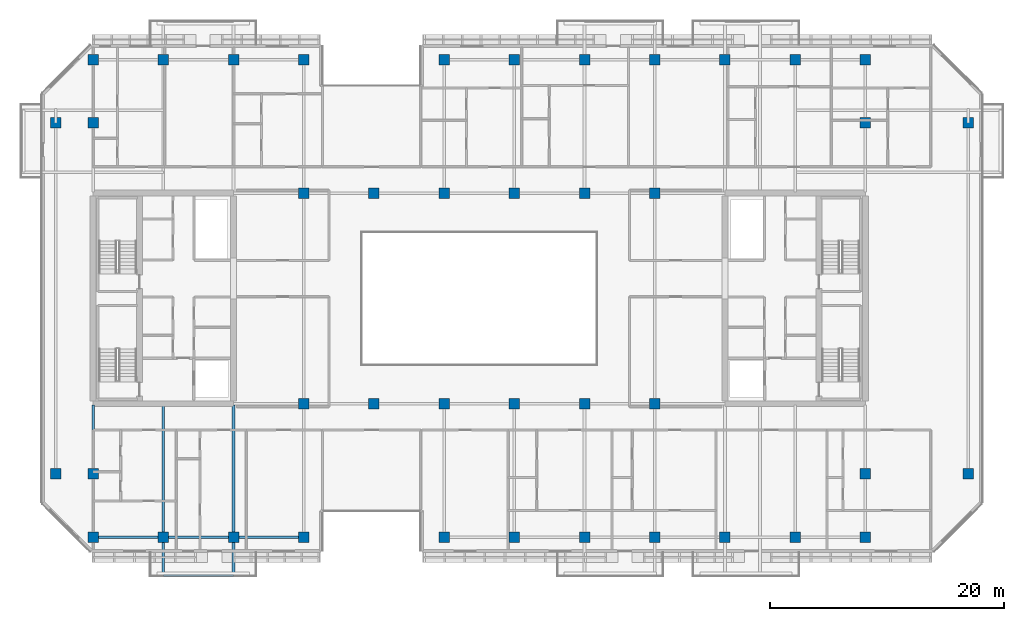
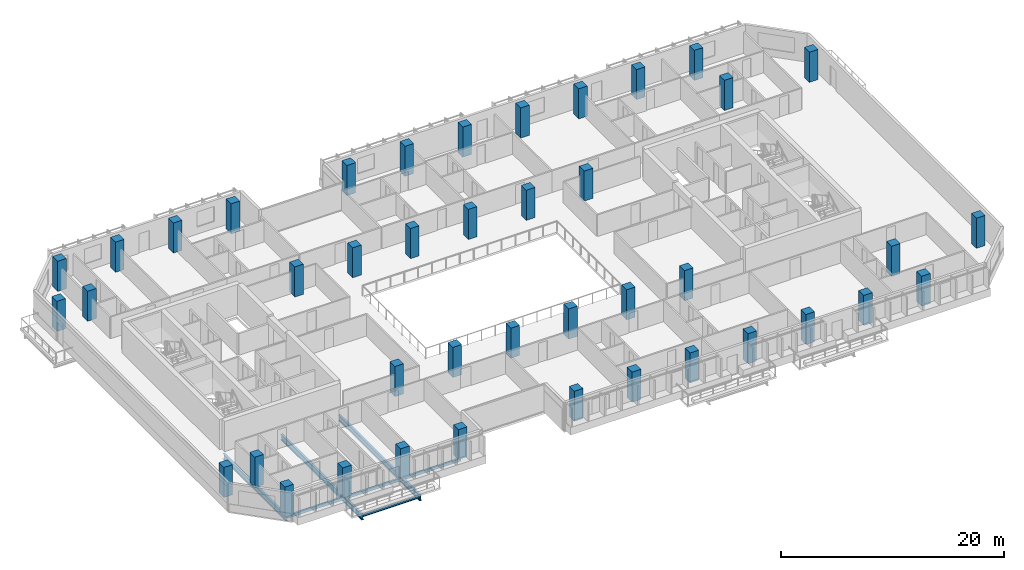
# One storey, part 1 of 21: 42 columns, 7 beams.
"""IFC4 building model written with IfcOpenShell, lengths in metres."""

from ifc_helpers import new_model, si_unit, direction, frame, origin, origin_2d, place, context, subcontext, project, spatial, rectangle, hollow_rectangle, i_section, extrude, material, material_profile, profile_set, type_object, element, save


model = new_model("IFC4")

# Units and contexts
model_context = context("Model", 3, precision=1e-05, world=origin(), true_north=direction((0.0, 1.0)))
body_context = subcontext(model_context, "Body", "Model", "MODEL_VIEW")
ifc_project = project(units=[si_unit("LENGTHUNIT", "METRE"), si_unit("AREAUNIT", "SQUARE_METRE"), si_unit("VOLUMEUNIT", "CUBIC_METRE"), si_unit("PLANEANGLEUNIT", "RADIAN"), si_unit("MASSUNIT", "GRAM", prefix="KILO")], contexts=[model_context])

# Site, building, storey
site_placement = place(None, origin())
site = spatial("IfcSite", under=ifc_project, at=site_placement, CompositionType="ELEMENT")
building_placement = place(site_placement, origin())
building = spatial("IfcBuilding", under=site, at=building_placement, Name="Tanjung Sevakor Pilgrim Tower", CompositionType="ELEMENT")
storey_placement = place(building_placement, frame((0.0, 0.0, 145.199951171875)))
storey = spatial("IfcBuildingStorey", under=building, at=storey_placement, Name="L40", CompositionType="ELEMENT", Elevation=145.199951171875)

# Columns
ifc_material_1 = material(Name="Concrete C60/75", Category="concrete")
ifc_material_profile_1 = material_profile(ifc_material_1, rectangle(XDim=0.89990234375, YDim=0.89990234375, at=origin_2d()))
ifc_profile_set_1 = profile_set([ifc_material_profile_1], Name="Concrete C60/75")
column_type = type_object("IfcColumnType", Name="COL-C-T900-RC_900x900", PredefinedType="COLUMN", material=ifc_profile_set_1)
for number, where, z_axis, x_axis, name in (
    (1, (42.0, 24.60009765625, 0.0), (0.0, 0.0, 1.0), (1.0, 0.0, 0.0), "L40 Column SPW-042-246"),
    (2, (42.0, 42.60009765625, 0.0), (0.0, 0.0, 1.0), (1.0, 0.0, 0.0), "L40 Column SPW-042-426"),
    (3, (48.0, 24.60009765625, 0.0), (0.0, 0.0, 1.0), (1.0, 0.0, 0.0), "L40 Column SPW-048-246"),
    (4, (48.0, 42.60009765625, 0.0), (0.0, 0.0, 1.0), (1.0, 0.0, 0.0), "L40 Column SPW-048-426"),
    (5, (54.0, 24.60009765625, 0.0), (0.0, 0.0, 1.0), (1.0, 0.0, 0.0), "L40 Column SPE-054-246"),
    (6, (54.0, 42.60009765625, 0.0), (0.0, 0.0, 1.0), (1.0, 0.0, 0.0), "L40 Column SPE-054-426"),
    (7, (60.0, 24.60009765625, 0.0), (0.0, 0.0, 1.0), (1.0, 0.0, 0.0), "L40 Column SPE-060-246"),
    (8, (60.0, 42.60009765625, 0.0), (0.0, 0.0, 1.0), (1.0, 0.0, 0.0), "L40 Column SPE-060-426"),
    (9, (66.0, 24.60009765625, 0.0), (0.0, 0.0, 1.0), (1.0, 0.0, 0.0), "L40 Column SPE-066-246"),
    (10, (66.0, 42.60009765625, 0.0), (0.0, 0.0, 1.0), (1.0, 0.0, 0.0), "L40 Column SPE-066-426"),
    (11, (72.0, 24.60009765625, 0.0), (0.0, 0.0, 1.0), (1.0, 0.0, 0.0), "L40 Column SPE-072-246"),
    (12, (72.0, 42.60009765625, 0.0), (0.0, 0.0, 1.0), (1.0, 0.0, 0.0), "L40 Column SPE-072-426"),
    (13, (20.800048828125, 18.60009765625, 0.0), (0.0, 0.0, 1.0), (1.0, 0.0, 0.0), "L40 Column TCE-0208-186"),
    (14, (20.800048828125, 48.60009765625, 0.0), (0.0, 0.0, 1.0), (1.0, 0.0, 0.0), "L40 Column TCE-0208-486"),
    (15, (24.0, 18.60009765625, 0.0), (0.0, 0.0, 1.0), (1.0, 0.0, 0.0), "L40 Column TCE-0240-186"),
    (16, (24.0, 48.60009765625, 0.0), (0.0, 0.0, 1.0), (1.0, 0.0, 0.0), "L40 Column TCE-0240-486"),
    (17, (90.0, 18.60009765625, 0.0), (0.0, 0.0, 1.0), (1.0, 0.0, 0.0), "L40 Column TCE-0900-186"),
    (18, (90.0, 48.60009765625, 0.0), (0.0, 0.0, 1.0), (1.0, 0.0, 0.0), "L40 Column TCE-0900-486"),
    (19, (98.800048828125, 18.60009765625, 0.0), (0.0, 0.0, 1.0), (1.0, 0.0, 0.0), "L40 Column TCE-0988-186"),
    (20, (98.800048828125, 48.60009765625, 0.0), (0.0, 0.0, 1.0), (1.0, 0.0, 0.0), "L40 Column TCE-0988-486"),
    (21, (24.0, 13.199951171875, 0.0), (0.0, 0.0, 1.0), (1.0, 0.0, 0.0), "L40 Column TC3-024-132"),
    (22, (24.0, 54.0, 0.0), (0.0, 0.0, 1.0), (1.0, 0.0, 0.0), "L40 Column TC3-024-540"),
    (23, (30.0, 13.199951171875, 0.0), (0.0, 0.0, 1.0), (1.0, 0.0, 0.0), "L40 Column TC3-030-132"),
    (24, (30.0, 54.0, 0.0), (0.0, 0.0, 1.0), (1.0, 0.0, 0.0), "L40 Column TC3-030-540"),
    (25, (36.0, 13.199951171875, 0.0), (0.0, 0.0, 1.0), (1.0, 0.0, 0.0), "L40 Column TC3-036-132"),
    (26, (36.0, 54.0, 0.0), (0.0, 0.0, 1.0), (1.0, 0.0, 0.0), "L40 Column TC3-036-540"),
    (27, (42.0, 13.199951171875, 0.0), (0.0, 0.0, 1.0), (1.0, 0.0, 0.0), "L40 Column TC3-042-132"),
    (28, (42.0, 54.0, 0.0), (0.0, 0.0, 1.0), (1.0, 0.0, 0.0), "L40 Column TC3-042-540"),
    (29, (54.0, 13.199951171875, 0.0), (0.0, 0.0, 1.0), (1.0, 0.0, 0.0), "L40 Column TC3-054-132"),
    (30, (54.0, 54.0, 0.0), (0.0, 0.0, 1.0), (1.0, 0.0, 0.0), "L40 Column TC3-054-540"),
    (31, (60.0, 13.199951171875, 0.0), (0.0, 0.0, 1.0), (1.0, 0.0, 0.0), "L40 Column TC3-060-132"),
    (32, (60.0, 54.0, 0.0), (0.0, 0.0, 1.0), (1.0, 0.0, 0.0), "L40 Column TC3-060-540"),
    (33, (66.0, 13.199951171875, 0.0), (0.0, 0.0, 1.0), (1.0, 0.0, 0.0), "L40 Column TC3-066-132"),
    (34, (66.0, 54.0, 0.0), (0.0, 0.0, 1.0), (1.0, 0.0, 0.0), "L40 Column TC3-066-540"),
    (35, (72.0, 13.199951171875, 0.0), (0.0, 0.0, 1.0), (1.0, 0.0, 0.0), "L40 Column TC3-072-132"),
    (36, (72.0, 54.0, 0.0), (0.0, 0.0, 1.0), (1.0, 0.0, 0.0), "L40 Column TC3-072-540"),
    (37, (78.0, 13.199951171875, 0.0), (0.0, 0.0, 1.0), (1.0, 0.0, 0.0), "L40 Column TC3-078-132"),
    (38, (78.0, 54.0, 0.0), (0.0, 0.0, 1.0), (1.0, 0.0, 0.0), "L40 Column TC3-078-540"),
    (39, (84.0, 13.199951171875, 0.0), (0.0, 0.0, 1.0), (1.0, 0.0, 0.0), "L40 Column TC3-084-132"),
    (40, (84.0, 54.0, 0.0), (0.0, 0.0, 1.0), (1.0, 0.0, 0.0), "L40 Column TC3-084-540"),
    (41, (90.0, 13.199951171875, 0.0), (0.0, 0.0, 1.0), (1.0, 0.0, 0.0), "L40 Column TC3-090-132"),
    (42, (90.0, 54.0, 0.0), (0.0, 0.0, 1.0), (1.0, 0.0, 0.0), "L40 Column TC3-090-540"),
):
    element("IfcColumn", number, at=place(storey_placement, frame(where, z_axis=z_axis, x_axis=x_axis)), inside=storey, type_object=column_type, Name=name, PredefinedType="COLUMN", context=body_context, shape_type="SweptSolid", body=[
        extrude(rectangle(XDim=0.89990234375, YDim=0.89990234375, at=origin_2d()), origin(), (0.0, 0.0, 1.0), 3.300048828125),
    ])

# Beams
ifc_material_2 = material(Name="Steel S355J2", Category="steel")
ifc_material_profile_2 = material_profile(ifc_material_2, i_section(OverallWidth=0.22900390625, OverallDepth=0.6123046875, WebThickness=0.011962890625, FlangeThickness=0.01953125, FilletRadius=0.0126953125, at=origin_2d()))
ifc_profile_set_2 = profile_set([ifc_material_profile_2], Name="Steel S355J2")
beam_type_1 = type_object("IfcBeamType", Name="BM-B-G4-UB_610x229x125", PredefinedType="BEAM", material=ifc_profile_set_2)
beam_1_placement = place(storey_placement, frame((24.0, 13.199951171875, -0.526123046875), z_axis=(0.0, 1.0, 0.0), x_axis=(-1.0, 0.0, 0.0)))
element("IfcBeam", 43, at=beam_1_placement, inside=storey, type_object=beam_type_1, Name="L40 MAIN Girder 001", PredefinedType="BEAM", context=body_context, shape_type="SweptSolid", body=[
    extrude(i_section(OverallWidth=0.22900390625, OverallDepth=0.6123046875, WebThickness=0.011962890625, FlangeThickness=0.01953125, FilletRadius=0.0126953125, at=origin_2d()), origin(), (0.0, 0.0, 1.0), 11.284912109375),
])
for number, where, z_axis, x_axis, name in (
    (44, (30.0, 24.48486328125, -0.526123046875), (0.0, -1.0, 0.0), (1.0, 0.0, 0.0), "L40 Balcony Cantilever Beam MAIN-S1-1"),
    (45, (36.0, 24.48486328125, -0.526123046875), (0.0, -1.0, 0.0), (1.0, 0.0, 0.0), "L40 Balcony Cantilever Beam MAIN-S1-2"),
):
    element("IfcBeam", number, at=place(storey_placement, frame(where, z_axis=z_axis, x_axis=x_axis)), inside=storey, type_object=beam_type_1, Name=name, PredefinedType="BEAM", context=body_context, shape_type="SweptSolid", body=[
        extrude(i_section(OverallWidth=0.22900390625, OverallDepth=0.6123046875, WebThickness=0.011962890625, FlangeThickness=0.01953125, FilletRadius=0.0126953125, at=origin_2d()), origin(), (0.0, 0.0, 1.0), 14.56494140625),
    ])
ifc_material_3 = material(Name="Steel S355J2", Category="steel")
ifc_material_profile_3 = material_profile(ifc_material_3, i_section(OverallWidth=0.146484375, OverallDepth=0.256103515625, WebThickness=0.00634765625, FlangeThickness=0.010986328125, FilletRadius=0.007568359375, at=origin_2d()))
ifc_profile_set_3 = profile_set([ifc_material_profile_3], Name="Steel S355J2")
beam_type_2 = type_object("IfcBeamType", Name="BM-B-J6-UB_254x146x37", PredefinedType="JOIST", material=ifc_profile_set_3)
beam_2_placement = place(storey_placement, frame((30.0, 9.919921875, -0.327880859375), z_axis=(1.0, 0.0, 0.0), x_axis=(0.0, 1.0, 0.0)))
element("IfcBeam", 46, at=beam_2_placement, inside=storey, type_object=beam_type_2, Name="L40 Balcony Rim Tie MAIN-S1", PredefinedType="JOIST", context=body_context, shape_type="SweptSolid", body=[
    extrude(i_section(OverallWidth=0.146484375, OverallDepth=0.256103515625, WebThickness=0.00634765625, FlangeThickness=0.010986328125, FilletRadius=0.007568359375, at=origin_2d()), origin(), (0.0, 0.0, 1.0), 6.0),
])
ifc_material_4 = material(Name="Steel S355J2", Category="steel")
ifc_material_profile_4 = material_profile(ifc_material_4, hollow_rectangle(XDim=0.199951171875, YDim=0.300048828125, WallThickness=0.012451171875, at=origin_2d()))
ifc_profile_set_4 = profile_set([ifc_material_profile_4], Name="Steel S355J2")
beam_type_3 = type_object("IfcBeamType", Name="BM-B-SP3-RHS_300x200x12.5", PredefinedType="SPANDREL", material=ifc_profile_set_4)
for number, where, z_axis, x_axis, name in (
    (47, (24.0, 13.199951171875, -0.369873046875), (1.0, 0.0, 0.0), (0.0, 1.0, 0.0), "L40 Spandrel MAIN S-01"),
    (48, (30.0, 13.199951171875, -0.369873046875), (1.0, 0.0, 0.0), (0.0, 1.0, 0.0), "L40 Spandrel MAIN S-03"),
    (49, (36.0, 13.199951171875, -0.369873046875), (1.0, 0.0, 0.0), (0.0, 1.0, 0.0), "L40 Spandrel MAIN S-05"),
):
    element("IfcBeam", number, at=place(storey_placement, frame(where, z_axis=z_axis, x_axis=x_axis)), inside=storey, type_object=beam_type_3, Name=name, PredefinedType="SPANDREL", context=body_context, shape_type="SweptSolid", body=[
        extrude(hollow_rectangle(XDim=0.199951171875, YDim=0.300048828125, WallThickness=0.012451171875, at=origin_2d()), origin(), (0.0, 0.0, 1.0), 6.0),
    ])

save(model, "model.ifc")
